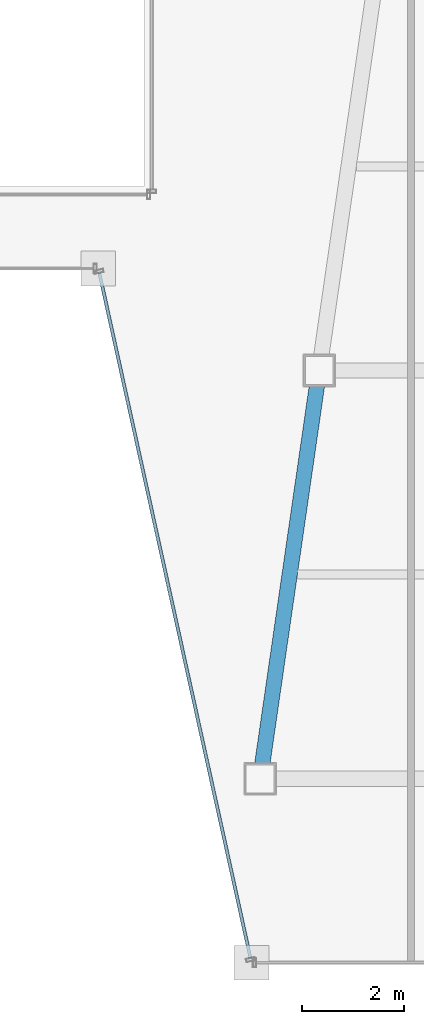
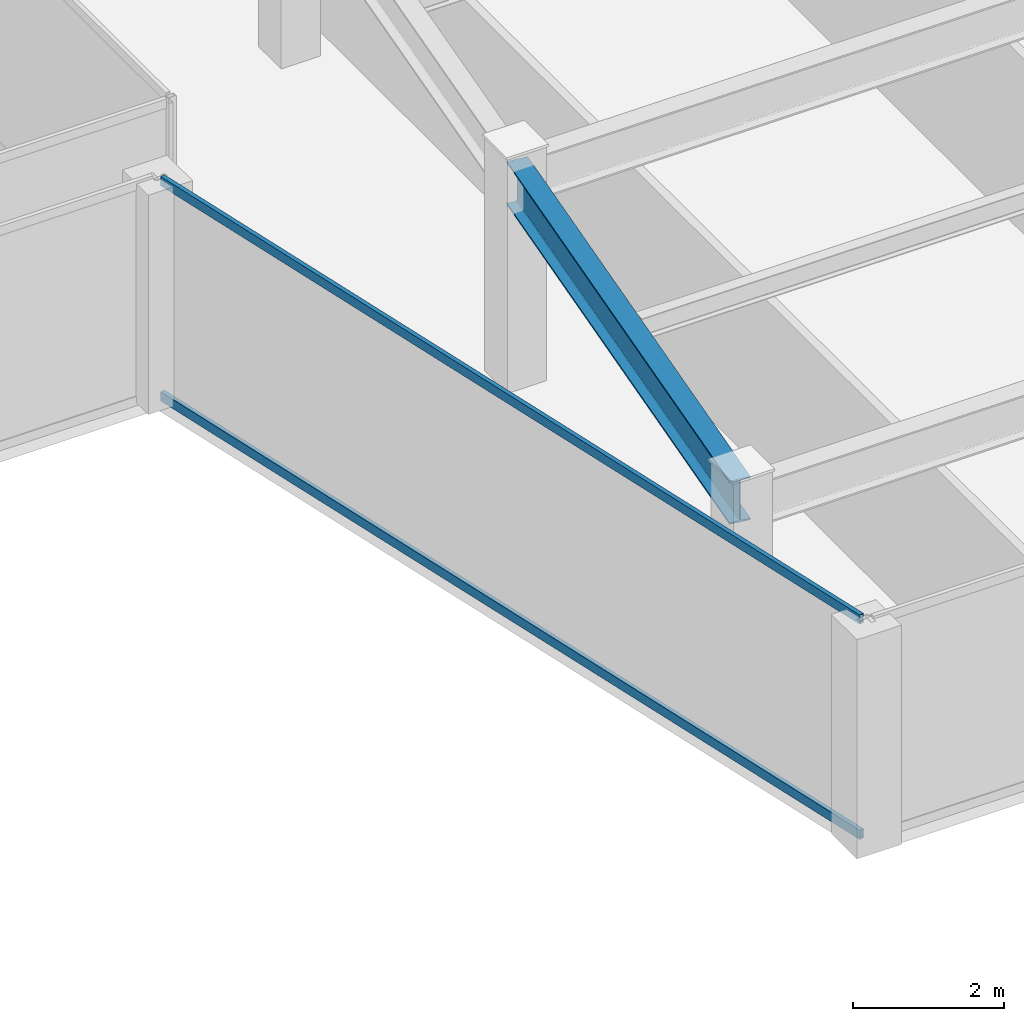
# One storey, part 16 of 35: 2 members, 1 beam, 1 element without a shape of its own.
"""IFC4 building model written with IfcOpenShell, lengths in metres."""

from ifc_helpers import new_model, si_unit, direction, frame, origin, origin_2d, place, context, subcontext, project, spatial, hollow_rectangle, i_section, extrude, material, material_profile, profile_set, type_object, element, aggregate, save


model = new_model("IFC4")

# Units and contexts
model_context = context("Model", 3, precision=1e-05, world=origin(), true_north=direction((0.0, 1.0)))
body_context = subcontext(model_context, "Body", "Model", "MODEL_VIEW")
ifc_project = project(units=[si_unit("LENGTHUNIT", "METRE"), si_unit("AREAUNIT", "SQUARE_METRE"), si_unit("VOLUMEUNIT", "CUBIC_METRE"), si_unit("PLANEANGLEUNIT", "RADIAN"), si_unit("MASSUNIT", "GRAM", prefix="KILO")], contexts=[model_context])

# Site, building, storey
site_placement = place(None, origin())
site = spatial("IfcSite", under=ifc_project, at=site_placement, CompositionType="ELEMENT")
building_placement = place(site_placement, origin())
building = spatial("IfcBuilding", under=site, at=building_placement, Name="Saevonmaru Cultural Tower", CompositionType="ELEMENT")
storey_placement = place(building_placement, frame((0.0, 0.0, 179.0)))
storey = spatial("IfcBuildingStorey", under=building, at=storey_placement, Name="L40", CompositionType="ELEMENT", Elevation=179.0)

# Beam
ifc_material_1 = material(Name="Steel SM355", Category="steel")
ifc_material_profile_1 = material_profile(ifc_material_1, i_section(OverallWidth=0.300048828125, OverallDepth=0.699951171875, WebThickness=0.012939453125, FlangeThickness=0.02392578125, FilletRadius=0.02587890625, at=origin_2d()), Name="H-700x300x13x24")
ifc_profile_set_1 = profile_set([ifc_material_profile_1], Name="Steel SM355")
beam_type = type_object("IfcBeamType", Name="BM-G-H700", PredefinedType="BEAM", material=ifc_profile_set_1)
beam_placement = place(storey_placement, frame((38.08056640625, 16.059326171875, 3.199951171875), z_axis=(0.143022161059, 0.989719486241, 0.0), x_axis=(-0.989719486241, 0.143022161059, 0.0)))
element("IfcBeam", 1, at=beam_placement, inside=storey, type_object=beam_type, Name="L40 East Atrium Girder 1", PredefinedType="BEAM", context=body_context, shape_type="SweptSolid", body=[
    extrude(i_section(OverallWidth=0.300048828125, OverallDepth=0.699951171875, WebThickness=0.012939453125, FlangeThickness=0.02392578125, FilletRadius=0.02587890625, at=origin_2d()), origin(), (0.0, 0.0, 1.0), 7.963134765625),
])

# Curtain wall, members
ifc_material_2 = material(Name="Satin Bronze Anodised Aluminium", Category="aluminium")
curtain_wall_type = type_object("IfcCurtainWallType", Name="CW-TYP-B", PredefinedType="NOTDEFINED", material=ifc_material_2)
curtain_wall_placement = place(storey_placement, origin())
curtain_wall = element("IfcCurtainWall", 2, at=curtain_wall_placement, inside=storey, type_object=curtain_wall_type, Name="L40 Unitised Curtain Wall E5", PredefinedType="NOTDEFINED")
ifc_material_profile_2 = material_profile(ifc_material_2, hollow_rectangle(XDim=0.06494140625, YDim=0.14990234375, WallThickness=0.00390625, at=origin_2d()), Name="ALU-TRAN-150x65x4")
ifc_profile_set_2 = profile_set([ifc_material_profile_2], Name="Satin Bronze Anodised Aluminium")
member_type = type_object("IfcMemberType", Name="TR-CW-150x65", PredefinedType="USERDEFINED", material=ifc_profile_set_2)
member_1_placement = place(storey_placement, frame((34.922119140625, 25.90966796875, 0.032470703125), z_axis=(0.21541214732, -0.976523223885, 0.0), x_axis=(0.976523223885, 0.21541214732, 0.0)))
member_1 = element("IfcMember", 3, at=member_1_placement, type_object=member_type, Name="CW-TW-L40-E5 transom 1.1", ObjectType="TRANSOM", PredefinedType="USERDEFINED", context=body_context, shape_type="SweptSolid", body=[
    extrude(hollow_rectangle(XDim=0.06494140625, YDim=0.14990234375, WallThickness=0.00390625, at=origin_2d()), origin(), (0.0, 0.0, 1.0), 13.741943359375),
])
member_2_placement = place(storey_placement, frame((34.922119140625, 25.90966796875, 3.517578125), z_axis=(0.21541214732, -0.976523223885, 0.0), x_axis=(0.976523223885, 0.21541214732, 0.0)))
member_2 = element("IfcMember", 4, at=member_2_placement, type_object=member_type, Name="CW-TW-L40-E5 transom 1.2", ObjectType="TRANSOM", PredefinedType="USERDEFINED", context=body_context, shape_type="SweptSolid", body=[
    extrude(hollow_rectangle(XDim=0.06494140625, YDim=0.14990234375, WallThickness=0.00390625, at=origin_2d()), origin(), (0.0, 0.0, 1.0), 13.741943359375),
])
aggregate(curtain_wall, [member_1, member_2])

save(model, "model.ifc")
